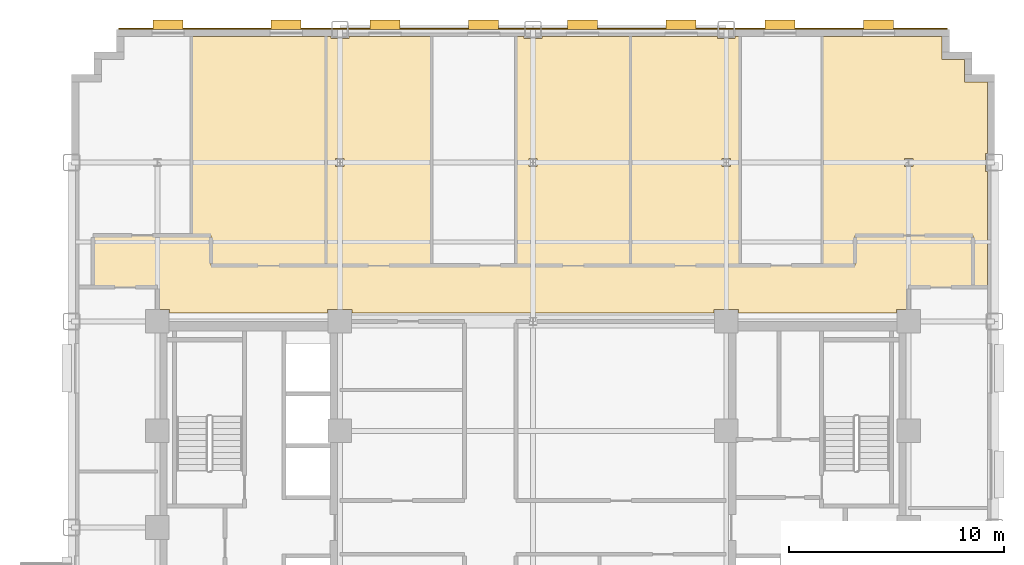
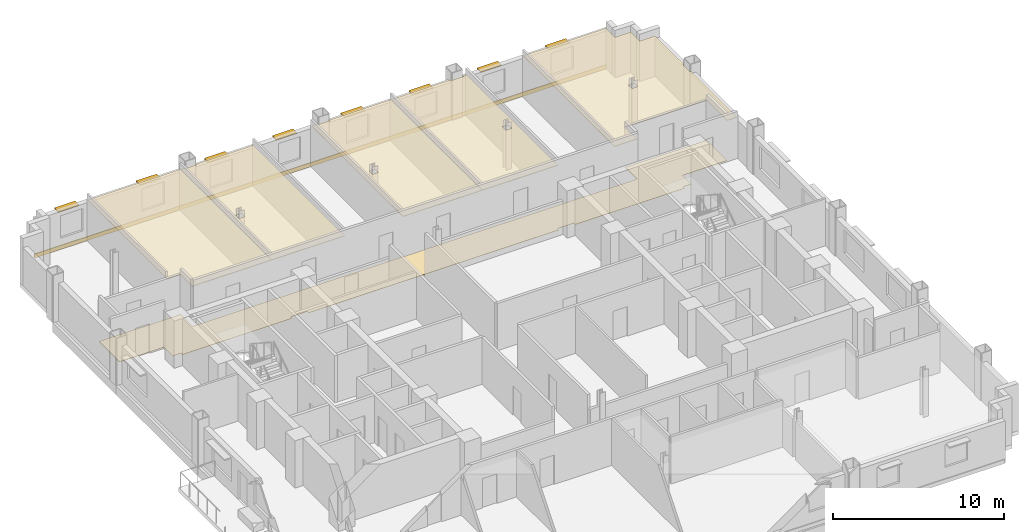
# One storey, part 14 of 14: 8 shading devices, 7 coverings.
"""IFC4 building model written with IfcOpenShell, lengths in metres."""

from ifc_helpers import new_model, si_unit, direction, frame, origin, origin_2d, place, context, subcontext, project, spatial, polyline, rectangle, outline, extrude, source, transform, mapped, material, layer, layer_set, type_object, type_shapes, element, save


model = new_model("IFC4")

# Units and contexts
model_context = context("Model", 3, precision=1e-05, world=origin(), true_north=direction((0.0, 1.0)))
body_context = subcontext(model_context, "Body", "Model", "MODEL_VIEW")
ifc_project = project(units=[si_unit("LENGTHUNIT", "METRE"), si_unit("AREAUNIT", "SQUARE_METRE"), si_unit("VOLUMEUNIT", "CUBIC_METRE"), si_unit("PLANEANGLEUNIT", "RADIAN"), si_unit("MASSUNIT", "GRAM", prefix="KILO")], contexts=[model_context])

# Site, building, storey
site_placement = place(None, origin())
site = spatial("IfcSite", under=ifc_project, at=site_placement, CompositionType="ELEMENT")
building_placement = place(site_placement, origin())
building = spatial("IfcBuilding", under=site, at=building_placement, Name="Nuvemarco Arch Tower", CompositionType="ELEMENT")
storey_placement = place(building_placement, frame((0.0, 0.0, 64.10009765625)))
storey = spatial("IfcBuildingStorey", under=building, at=storey_placement, Name="L16", CompositionType="ELEMENT", Elevation=64.10009765625)

# Coverings
ifc_material_1 = material(Name="Mineral acoustic ceiling tile")
ifc_layer_1 = layer(ifc_material_1, 0.0400390625, Name="COV-ACOUSTIC-CLG")
ifc_layer_set_1 = layer_set([ifc_layer_1], Name="Mineral acoustic ceiling tile")
covering_type_1 = type_object("IfcCoveringType", Name="COV-ACOUSTIC-CLG", PredefinedType="CEILING", material=ifc_layer_set_1)
covering_1_placement = place(storey_placement, frame((0.0, 0.0, 2.849853515625)))
element("IfcCovering", 1, at=covering_1_placement, inside=storey, type_object=covering_type_1, Name="L16 suspended acoustic ceiling 3", PredefinedType="CEILING", context=body_context, shape_type="SweptSolid", body=[
    extrude(outline(polyline([(21.159912109375, 20.760009765625), (21.159912109375, 17.4150390625), (21.0849609375, 17.4150390625), (21.0849609375, 16.5849609375), (21.159912109375, 16.5849609375), (21.159912109375, 11.199951171875), (20.5, 11.199951171875), (20.5, 13.60009765625), (15.0, 13.60009765625), (15.0, 12.199951171875), (13.469970703125, 12.199951171875), (13.469970703125, 22.860107421875), (19.06005859375, 22.860107421875), (19.06005859375, 21.81005859375), (20.110107421875, 21.81005859375), (20.110107421875, 20.760009765625), (21.159912109375, 20.760009765625)]), holes=[polyline([(17.695068359375, 16.804931640625), (17.695068359375, 17.195068359375), (17.304931640625, 17.195068359375), (17.304931640625, 16.804931640625), (17.695068359375, 16.804931640625)])]), origin(), (0.0, 0.0, 1.0), 0.0400390625),
])
covering_2_placement = place(storey_placement, frame((0.0, 0.0, 2.849853515625)))
element("IfcCovering", 2, at=covering_2_placement, inside=storey, type_object=covering_type_1, Name="L16 suspended acoustic ceiling 4", PredefinedType="CEILING", context=body_context, shape_type="SweptSolid", body=[
    extrude(outline(polyline([(-9.64990234375, 22.860107421875), (-9.64990234375, 12.199951171875), (-15.0, 12.199951171875), (-15.0, 13.60009765625), (-15.909912109375, 13.60009765625), (-15.909912109375, 22.860107421875), (-9.64990234375, 22.860107421875)])), origin(), (0.0, 0.0, 1.0), 0.0400390625),
])
covering_3_placement = place(storey_placement, frame((0.0, 0.0, 2.849853515625)))
element("IfcCovering", 3, at=covering_3_placement, inside=storey, type_object=covering_type_1, Name="L16 suspended acoustic ceiling 5", PredefinedType="CEILING", context=body_context, shape_type="SweptSolid", body=[
    extrude(outline(polyline([(4.550048828125, 12.199951171875), (-0.800048828125, 12.199951171875), (-0.800048828125, 22.860107421875), (-0.4150390625, 22.860107421875), (-0.4150390625, 22.784912109375), (0.4150390625, 22.784912109375), (0.4150390625, 22.860107421875), (4.550048828125, 22.860107421875), (4.550048828125, 12.199951171875)]), holes=[polyline([(0.195068359375, 16.804931640625), (0.195068359375, 17.195068359375), (-0.195068359375, 17.195068359375), (-0.195068359375, 16.804931640625), (0.195068359375, 16.804931640625)])]), origin(), (0.0, 0.0, 1.0), 0.0400390625),
])
covering_4_placement = place(storey_placement, frame((0.0, 0.0, 2.849853515625)))
element("IfcCovering", 4, at=covering_4_placement, inside=storey, type_object=covering_type_1, Name="L16 suspended acoustic ceiling 6", PredefinedType="CEILING", context=body_context, shape_type="SweptSolid", body=[
    extrude(outline(polyline([(9.64990234375, 12.199951171875), (4.550048828125, 12.199951171875), (4.550048828125, 22.860107421875), (8.5849609375, 22.860107421875), (8.5849609375, 22.784912109375), (9.4150390625, 22.784912109375), (9.4150390625, 22.860107421875), (9.64990234375, 22.860107421875), (9.64990234375, 12.199951171875)]), holes=[polyline([(9.195068359375, 17.195068359375), (8.804931640625, 17.195068359375), (8.804931640625, 16.804931640625), (9.195068359375, 16.804931640625), (9.195068359375, 17.195068359375)])]), origin(), (0.0, 0.0, 1.0), 0.0400390625),
])
covering_5_placement = place(storey_placement, frame((0.0, 0.0, 2.849853515625)))
element("IfcCovering", 5, at=covering_5_placement, inside=storey, type_object=covering_type_1, Name="L16 suspended acoustic ceiling 7", PredefinedType="CEILING", context=body_context, shape_type="SweptSolid", body=[
    extrude(outline(polyline([(-4.72998046875, 12.199951171875), (-9.64990234375, 12.199951171875), (-9.64990234375, 22.860107421875), (-9.4150390625, 22.860107421875), (-9.4150390625, 22.784912109375), (-8.5849609375, 22.784912109375), (-8.5849609375, 22.860107421875), (-4.72998046875, 22.860107421875), (-4.72998046875, 12.199951171875)]), holes=[polyline([(-8.804931640625, 16.804931640625), (-8.804931640625, 17.195068359375), (-9.195068359375, 17.195068359375), (-9.195068359375, 16.804931640625), (-8.804931640625, 16.804931640625)])]), origin(), (0.0, 0.0, 1.0), 0.0400390625),
])
ifc_material_2 = material(Name="Polished granite terrazzostone flooring", Category="masonry")
ifc_layer_2 = layer(ifc_material_2, 0.02001953125, Name="COV-LOBBY-FLR")
ifc_layer_set_2 = layer_set([ifc_layer_2], Name="Polished granite terrazzostone flooring")
covering_type_2 = type_object("IfcCoveringType", Name="COV-LOBBY-FLR", PredefinedType="FLOORING", material=ifc_layer_set_2)
covering_6_placement = place(storey_placement, origin())
element("IfcCovering", 6, at=covering_6_placement, inside=storey, type_object=covering_type_2, Name="L16 polished terrazzo lobby flooring", PredefinedType="FLOORING", context=body_context, shape_type="SweptSolid", body=[
    extrude(outline(polyline([(-8.43505859375, 10.1650390625), (-9.56494140625, 10.1650390625), (-9.56494140625, 10.0), (-16.93505859375, 10.0), (-16.93505859375, 10.1650390625), (-17.5, 10.1650390625), (-17.5, 11.199951171875), (-20.5, 11.199951171875), (-20.5, 13.60009765625), (-15.0, 13.60009765625), (-15.0, 12.199951171875), (-3.199951171875, 12.199951171875), (-0.800048828125, 12.199951171875), (15.0, 12.199951171875), (15.0, 13.60009765625), (20.5, 13.60009765625), (20.5, 11.199951171875), (17.5, 11.199951171875), (17.5, 10.1650390625), (16.93505859375, 10.1650390625), (16.93505859375, 10.0), (9.56494140625, 10.0), (9.56494140625, 10.1650390625), (8.43505859375, 10.1650390625), (8.43505859375, 10.0), (-8.43505859375, 10.0), (-8.43505859375, 10.1650390625)])), origin(), (0.0, 0.0, 1.0), 0.02001953125),
])

# Shading devices
ifc_material_3 = material(Name="Anodised aluminium 6063-T6", Category="aluminium")
shading_device_type = type_object("IfcShadingDeviceType", Name="SHD-BRISE-NARROW", PredefinedType="USERDEFINED", material=ifc_material_3)
shared_shape_1 = source(origin(), body_context, "Body", "SweptSolid", [
    extrude(rectangle(XDim=1.39990234375, YDim=0.449951171875, at=origin_2d()), origin(), (0.0, 0.0, 1.0), 0.080078125),
])
type_shapes(shading_device_type, [shared_shape_1])
for number, where, z_axis, x_axis, name in (
    (7, (-17.0, 23.4150390625, 2.40478515625), (0.0, 0.0, 1.0), (1.0, 0.0, 0.0), "L16 horizontal brise-soleil sunshade"),
    (8, (-11.5, 23.4150390625, 2.40478515625), (0.0, 0.0, 1.0), (1.0, 0.0, 0.0), "L16 horizontal brise-soleil sunshade"),
    (9, (-6.89990234375, 23.4150390625, 2.40478515625), (0.0, 0.0, 1.0), (1.0, 0.0, 0.0), "L16 horizontal brise-soleil sunshade"),
    (10, (-2.300048828125, 23.4150390625, 2.40478515625), (0.0, 0.0, 1.0), (1.0, 0.0, 0.0), "L16 horizontal brise-soleil sunshade"),
    (11, (2.300048828125, 23.4150390625, 2.40478515625), (0.0, 0.0, 1.0), (1.0, 0.0, 0.0), "L16 horizontal brise-soleil sunshade"),
    (12, (6.89990234375, 23.4150390625, 2.40478515625), (0.0, 0.0, 1.0), (1.0, 0.0, 0.0), "L16 horizontal brise-soleil sunshade"),
    (13, (11.5, 23.4150390625, 2.40478515625), (0.0, 0.0, 1.0), (1.0, 0.0, 0.0), "L16 horizontal brise-soleil sunshade"),
    (14, (16.10009765625, 23.4150390625, 2.40478515625), (0.0, 0.0, 1.0), (1.0, 0.0, 0.0), "L16 horizontal brise-soleil sunshade"),
):
    element("IfcShadingDevice", number, at=place(storey_placement, frame(where, z_axis=z_axis, x_axis=x_axis)), inside=storey, type_object=shading_device_type, Name=name, ObjectType="SUNSHADE", PredefinedType="USERDEFINED", context=body_context, shape_type="MappedRepresentation", body=[
        mapped(shared_shape_1, transform((0.0, 0.0, 0.0), scale=1.0)),
    ])

# Covering
ifc_material_4 = material(Name="Precast concrete C45/55", Category="concrete")
ifc_layer_3 = layer(ifc_material_4, 0.06005859375, Name="COV-SPANDREL-CLAD")
ifc_layer_set_3 = layer_set([ifc_layer_3], Name="Precast concrete C45/55")
covering_type_3 = type_object("IfcCoveringType", Name="COV-SPANDREL-CLAD", PredefinedType="CLADDING", material=ifc_layer_set_3)
shared_shape_2 = source(origin(), body_context, "Body", "SweptSolid", [
    extrude(rectangle(XDim=38.60009765625, YDim=0.06005859375, at=origin_2d()), origin(), (0.0, 0.0, 1.0), 0.280029296875),
])
type_shapes(covering_type_3, [shared_shape_2])
covering_7_placement = place(storey_placement, frame((0.0, 23.22900390625, -0.2802734375), z_axis=(0.0, 0.0, 1.0), x_axis=(1.0, 0.0, 0.0)))
element("IfcCovering", 15, at=covering_7_placement, inside=storey, type_object=covering_type_3, Name="L16 precast spandrel edge cladding north", PredefinedType="CLADDING", context=body_context, shape_type="MappedRepresentation", body=[
    mapped(shared_shape_2, transform((0.0, 0.0, 0.0), scale=1.0)),
])

save(model, "model.ifc")
